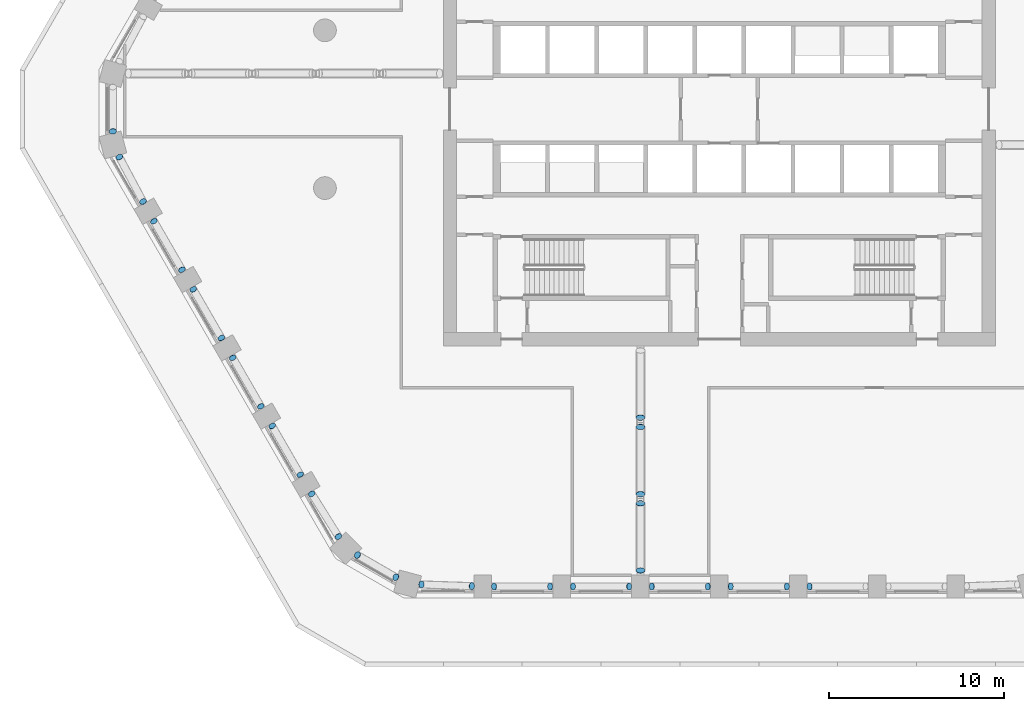
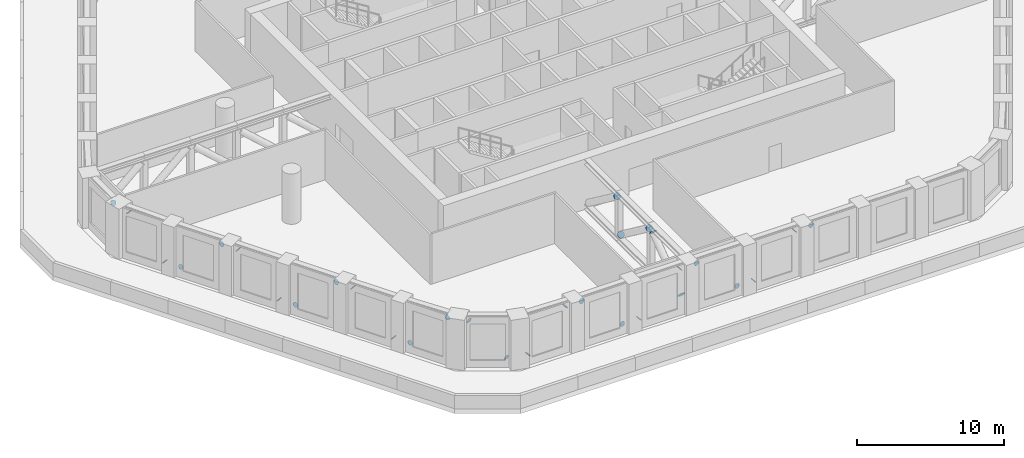
# One storey, part 12 of 18: 31 discrete accessories.
"""IFC4 building model written with IfcOpenShell, lengths in metres."""

from ifc_helpers import new_model, si_unit, direction, frame, origin, origin_2d, place, context, subcontext, project, spatial, circle, extrude, material, material_profile, profile_set, type_object, element, save


model = new_model("IFC4")

# Units and contexts
model_context = context("Model", 3, precision=1e-05, world=origin(), true_north=direction((0.0, 1.0)))
body_context = subcontext(model_context, "Body", "Model", "MODEL_VIEW")
ifc_project = project(units=[si_unit("LENGTHUNIT", "METRE"), si_unit("AREAUNIT", "SQUARE_METRE"), si_unit("VOLUMEUNIT", "CUBIC_METRE"), si_unit("PLANEANGLEUNIT", "RADIAN"), si_unit("MASSUNIT", "GRAM", prefix="KILO")], contexts=[model_context])

# Site, building, storey
site_placement = place(None, origin())
site = spatial("IfcSite", under=ifc_project, at=site_placement, CompositionType="ELEMENT")
building_placement = place(site_placement, origin())
building = spatial("IfcBuilding", under=site, at=building_placement, Name="Dhurran Vertical Campus", CompositionType="ELEMENT")
storey_placement = place(building_placement, frame((0.0, 0.0, 128.10009765625)))
storey = spatial("IfcBuildingStorey", under=building, at=storey_placement, Name="L31 Plant", CompositionType="ELEMENT", Elevation=128.10009765625)

# Discrete accessories
ifc_material_1 = material(Name="Steel S355J2", Category="steel")
ifc_material_profile_1 = material_profile(ifc_material_1, circle(Radius=0.203125, at=origin_2d()), Name="Tube end cap 406 x 20")
ifc_profile_set_1 = profile_set([ifc_material_profile_1], Name="Steel S355J2")
discrete_accessory_type_1 = type_object("IfcDiscreteAccessoryType", Name="Tube end cap 406 x 20", PredefinedType="USERDEFINED", material=ifc_profile_set_1)
discrete_accessory_1_placement = place(storey_placement, frame((-16.988037109375, -27.11376953125, 0.574462890625), z_axis=(-0.688548425874, 0.02415959389, -0.724787816709), x_axis=(-0.035066140133, -0.999384993792, 0.0)))
element("IfcDiscreteAccessory", 1, at=discrete_accessory_1_placement, inside=storey, type_object=discrete_accessory_type_1, Name="EC1 belt L31 d00 capA", ObjectType="END CAP", PredefinedType="USERDEFINED", context=body_context, shape_type="SweptSolid", body=[
    extrude(circle(Radius=0.203125, at=origin_2d()), origin(), (0.0, 0.0, 1.0), 0.020263671875),
])
for number, where, z_axis, x_axis, name in (
    (2, (-14.131591796875, -27.211181640625, 3.600341796875), (0.682115751988, -0.024361276857, 0.730838305701), (0.035691530512, 0.999362854348, 0.0), "EC1 belt L31 d00 capB"),
    (3, (-9.656494140625, -27.232666015625, 0.58251953125), (0.731055268243, 0.0, -0.68231825036), (0.0, 1.0, 0.0), "EC1 belt L31 d01 capA"),
    (4, (-12.843505859375, -27.232666015625, 3.59228515625), (-0.731055268243, 0.0, 0.68231825036), (0.0, -1.0, 0.0), "EC1 belt L31 d01 capB"),
    (5, (-8.343505859375, -27.232666015625, 0.58251953125), (-0.731055268243, 0.0, -0.68231825036), (0.0, -1.0, 0.0), "EC1 belt L31 d02 capA"),
    (6, (-5.156494140625, -27.232666015625, 3.59228515625), (0.731055268243, 0.0, 0.68231825036), (0.0, 1.0, 0.0), "EC1 belt L31 d02 capB"),
    (7, (-0.656494140625, -27.232666015625, 0.58251953125), (0.731055268243, 0.0, -0.68231825036), (0.0, 1.0, 0.0), "EC1 belt L31 d03 capA"),
    (8, (-3.843505859375, -27.232666015625, 3.59228515625), (-0.731055268243, 0.0, 0.68231825036), (0.0, -1.0, 0.0), "EC1 belt L31 d03 capB"),
    (9, (0.656494140625, -27.232666015625, 0.58251953125), (-0.731055268243, 0.0, -0.68231825036), (0.0, -1.0, 0.0), "EC1 belt L31 d04 capA"),
    (10, (3.843505859375, -27.232666015625, 3.59228515625), (0.731055268243, 0.0, 0.68231825036), (0.0, 1.0, 0.0), "EC1 belt L31 d04 capB"),
    (11, (5.156494140625, -27.232666015625, 3.59228515625), (-0.731055268243, 0.0, 0.68231825036), (0.0, -1.0, 0.0), "EC1 belt L31 d05 capB"),
    (12, (-34.60107421875, -1.257080078125, 3.610595703125), (0.0, -0.63656503651, 0.771223025002), (1.0, 0.0, 0.0), "EC1 belt L31 d38 capB"),
    (13, (-32.88134765625, -5.264404296875, 0.574462890625), (0.318187166989, -0.599660430095, -0.734278077667), (0.883349020695, 0.468715806899, 0.0), "EC1 belt L31 d39 capA"),
    (14, (-34.225341796875, -2.741943359375, 3.600341796875), (-0.315854194987, 0.607411913437, 0.728894296125), (-0.887216801235, -0.461352736642, 0.0), "EC1 belt L31 d39 capB"),
    (15, (-32.256103515625, -6.390625, 0.58251953125), (-0.354794813064, 0.636183802736, -0.685121018331), (-0.873363874328, -0.487068314529, 0.0), "EC1 belt L31 d40 capA"),
    (16, (-30.662353515625, -9.150634765625, 3.59228515625), (0.354794813064, -0.636183802736, 0.685121018331), (0.873363874328, 0.487068314529, 0.0), "EC1 belt L31 d40 capB"),
):
    element("IfcDiscreteAccessory", number, at=place(storey_placement, frame(where, z_axis=z_axis, x_axis=x_axis)), inside=storey, type_object=discrete_accessory_type_1, Name=name, ObjectType="END CAP", PredefinedType="USERDEFINED", context=body_context, shape_type="SweptSolid", body=[
        extrude(circle(Radius=0.203125, at=origin_2d()), origin(), (0.0, 0.0, 1.0), 0.02001953125),
    ])
for number, where, z_axis, x_axis, name in (
    (17, (-28.412353515625, -13.0478515625, 0.58251953125), (0.357561757546, -0.628815504649, -0.690464083536), (0.869290118928, 0.494302224488, 0.0), "EC1 belt L31 d41 capA"),
    (18, (-30.006103515625, -10.28759765625, 3.59228515625), (-0.357561757546, 0.628815504649, 0.690464083536), (-0.869290118928, -0.494302224488, 0.0), "EC1 belt L31 d41 capB"),
):
    element("IfcDiscreteAccessory", number, at=place(storey_placement, frame(where, z_axis=z_axis, x_axis=x_axis)), inside=storey, type_object=discrete_accessory_type_1, Name=name, ObjectType="END CAP", PredefinedType="USERDEFINED", context=body_context, shape_type="SweptSolid", body=[
        extrude(circle(Radius=0.203125, at=origin_2d()), origin(), (0.0, 0.0, 1.0), 0.019775390625),
    ])
discrete_accessory_2_placement = place(storey_placement, frame((-27.756103515625, -14.184814453125, 0.58251953125), z_axis=(-0.354794813064, 0.636183802736, -0.685121018331), x_axis=(-0.873363874328, -0.487068314529, 0.0)))
element("IfcDiscreteAccessory", 19, at=discrete_accessory_2_placement, inside=storey, type_object=discrete_accessory_type_1, Name="EC1 belt L31 d42 capA", ObjectType="END CAP", PredefinedType="USERDEFINED", context=body_context, shape_type="SweptSolid", body=[
    extrude(circle(Radius=0.203125, at=origin_2d()), origin(), (0.0, 0.0, 1.0), 0.02001953125),
])
discrete_accessory_3_placement = place(storey_placement, frame((-26.162353515625, -16.945068359375, 3.59228515625), z_axis=(0.357561757546, -0.628815504649, 0.690464083536), x_axis=(0.869290118928, 0.494302224488, 0.0)))
element("IfcDiscreteAccessory", 20, at=discrete_accessory_3_placement, inside=storey, type_object=discrete_accessory_type_1, Name="EC1 belt L31 d42 capB", ObjectType="END CAP", PredefinedType="USERDEFINED", context=body_context, shape_type="SweptSolid", body=[
    extrude(circle(Radius=0.203125, at=origin_2d()), origin(), (0.0, 0.0, 1.0), 0.019775390625),
])
for number, where, z_axis, x_axis, name in (
    (21, (-23.912353515625, -20.842041015625, 0.58251953125), (0.354794813064, -0.636183802736, -0.685121018331), (0.873363874328, 0.487068314529, 0.0), "EC1 belt L31 d43 capA"),
    (22, (-25.506103515625, -18.08203125, 3.59228515625), (-0.354794813064, 0.636183802736, 0.685121018331), (-0.873363874328, -0.487068314529, 0.0), "EC1 belt L31 d43 capB"),
    (23, (-23.249755859375, -21.947021484375, 0.574462890625), (-0.363696483727, 0.581914373963, -0.727392967453), (-0.847998304005, -0.529998940003, 0.0), "EC1 belt L31 d44 capA"),
    (24, (-21.7373046875, -24.371826171875, 3.600341796875), (0.363696483727, -0.581914373963, 0.727392967453), (0.847998304005, 0.529998940003, 0.0), "EC1 belt L31 d44 capB"),
    (25, (-18.4619140625, -26.69677734375, 0.564208984375), (0.550997459976, -0.318354087986, -0.771396443966), (0.500277597875, 0.865865073245, 0.0), "EC1 belt L31 d45 capA"),
    (26, (-20.63916015625, -25.439697265625, 3.610595703125), (-0.550997459976, 0.318354087986, 0.771396443966), (-0.500277597875, -0.865865073245, 0.0), "EC1 belt L31 d45 capB"),
):
    element("IfcDiscreteAccessory", number, at=place(storey_placement, frame(where, z_axis=z_axis, x_axis=x_axis)), inside=storey, type_object=discrete_accessory_type_1, Name=name, ObjectType="END CAP", PredefinedType="USERDEFINED", context=body_context, shape_type="SweptSolid", body=[
        extrude(circle(Radius=0.203125, at=origin_2d()), origin(), (0.0, 0.0, 1.0), 0.02001953125),
    ])
ifc_material_2 = material(Name="Steel S355J2", Category="steel")
ifc_material_profile_2 = material_profile(ifc_material_2, circle(Radius=0.25390625, at=origin_2d()), Name="Tube end cap 508 x 20")
ifc_profile_set_2 = profile_set([ifc_material_profile_2], Name="Steel S355J2")
discrete_accessory_type_2 = type_object("IfcDiscreteAccessoryType", Name="Tube end cap 508 x 20", PredefinedType="USERDEFINED", material=ifc_profile_set_2)
discrete_accessory_4_placement = place(storey_placement, frame((-4.5, -17.58935546875, 3.5166015625), z_axis=(0.0, -0.798523388242, 0.601963784982), x_axis=(1.0, 0.0, 0.0)))
element("IfcDiscreteAccessory", 27, at=discrete_accessory_4_placement, inside=storey, type_object=discrete_accessory_type_2, Name="EC1 outrigger L31 OR-S d0 capB", ObjectType="END CAP", PredefinedType="USERDEFINED", context=body_context, shape_type="SweptSolid", body=[
    extrude(circle(Radius=0.25390625, at=origin_2d()), origin(), (0.0, 0.0, 1.0), 0.019775390625),
])
for number, where, z_axis, x_axis, name in (
    (28, (-4.5, -18.132568359375, 0.658203125), (0.0, 0.802910201746, -0.596099998266), (-1.0, 0.0, 0.0), "EC1 outrigger L31 OR-S d1 capA"),
    (29, (-4.5, -21.9501953125, 3.5166015625), (0.0, -0.802910201746, 0.596099998266), (1.0, 0.0, 0.0), "EC1 outrigger L31 OR-S d1 capB"),
    (30, (-4.5, -26.31103515625, 0.658203125), (0.0, -0.802910201746, -0.596099998266), (1.0, 0.0, 0.0), "EC1 outrigger L31 OR-S d2 capA"),
    (31, (-4.5, -22.493408203125, 3.5166015625), (0.0, 0.802910201746, 0.596099998266), (-1.0, 0.0, 0.0), "EC1 outrigger L31 OR-S d2 capB"),
):
    element("IfcDiscreteAccessory", number, at=place(storey_placement, frame(where, z_axis=z_axis, x_axis=x_axis)), inside=storey, type_object=discrete_accessory_type_2, Name=name, ObjectType="END CAP", PredefinedType="USERDEFINED", context=body_context, shape_type="SweptSolid", body=[
        extrude(circle(Radius=0.25390625, at=origin_2d()), origin(), (0.0, 0.0, 1.0), 0.02001953125),
    ])

save(model, "model.ifc")
